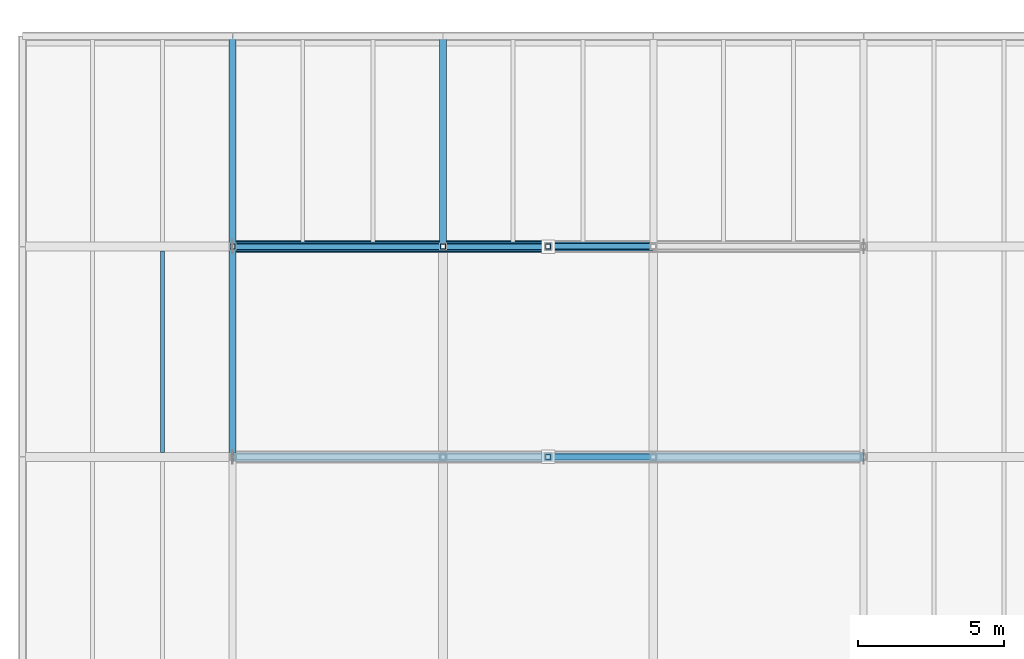
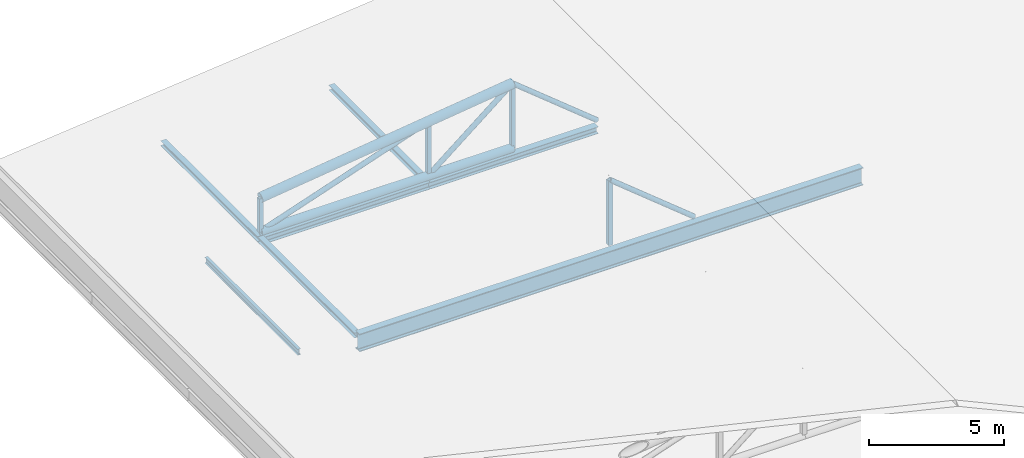
# One storey, part 33 of 91: 10 members, 7 beams.
"""IFC4 building model written with IfcOpenShell, lengths in metres."""

import ifcopenshell
import ifcopenshell.guid

model = None  # the IFC model being written
_history = None  # IfcOwnerHistory: only IFC2X3 demands one
_inside = {}  # id of a spatial element -> (the spatial element, [elements in it])
_under = {}  # id of a project, library or spatial element -> (it, [spatial elements below it])
_declared = {}  # id of a project -> (the project, [libraries it declares])
_typed = {}  # id of a type object -> (the type object, [elements of that type])
_made_of = {}  # id of a material, layer set ... -> (it, [elements and type objects made of it])


def new_model(schema):
    """Start an empty IFC model of exactly this schema.

    Asked for "IFC4X3", IfcOpenShell would pick the latest addendum, in which some entities
    have other attributes; the version numbers below select the first issue.
    IFC2X3 requires an IfcOwnerHistory on every rooted entity: one is made here for all.
    """
    global model, _history
    if schema == "IFC4X3":
        model = ifcopenshell.file(schema_version=(4, 3, 0, 0))
    else:
        model = ifcopenshell.file(schema=schema)
    _inside.clear()
    _under.clear()
    _declared.clear()
    _typed.clear()
    _made_of.clear()
    _history = None
    if model.schema == "IFC2X3":
        org = make("IfcOrganization", Name="unknown")
        user = make(
            "IfcPersonAndOrganization",
            ThePerson=make("IfcPerson", FamilyName="unknown"),
            TheOrganization=org,
        )
        app = make(
            "IfcApplication",
            ApplicationDeveloper=org,
            Version="unknown",
            ApplicationFullName="unknown",
            ApplicationIdentifier="unknown",
        )
        _history = make(
            "IfcOwnerHistory",
            OwningUser=user,
            OwningApplication=app,
            ChangeAction="ADDED",
            CreationDate=0,
        )
    return model


def make(cls, **values):
    """One entity of the class cls with the attributes given. An attribute that is None is left unset."""
    return model.create_entity(
        cls, **{name: value for name, value in values.items() if value is not None}
    )


def rooted(cls, **values):
    """An entity with a GlobalId (a new one), such as an element, a storey or a relation."""
    return make(cls, GlobalId=ifcopenshell.guid.new(), OwnerHistory=_history, **values)


def si_unit(unit_type, name, prefix=None):
    """IfcSIUnit, for example si_unit("LENGTHUNIT", "METRE", prefix="MILLI")."""
    return make("IfcSIUnit", UnitType=unit_type, Prefix=prefix, Name=name)


def assignment(units):
    """IfcUnitAssignment: the units of a project."""
    return None if units is None else make("IfcUnitAssignment", Units=units)


def point(xyz):
    """IfcCartesianPoint."""
    return None if xyz is None else make("IfcCartesianPoint", Coordinates=xyz)


def direction(xyz):
    """IfcDirection."""
    return None if xyz is None else make("IfcDirection", DirectionRatios=xyz)


def frame(location, z_axis=None, x_axis=None):
    """IfcAxis2Placement3D, a coordinate frame: its origin and axes. An axis left out is left unset."""
    return make(
        "IfcAxis2Placement3D",
        Location=point(location),
        Axis=direction(z_axis),
        RefDirection=direction(x_axis),
    )


def frame_2d(location, x_axis=None):
    """IfcAxis2Placement2D, a coordinate frame in the plane: its origin and x axis."""
    return make(
        "IfcAxis2Placement2D", Location=point(location), RefDirection=direction(x_axis)
    )


def origin():
    """The frame at (0, 0, 0) with its axes left unset."""
    return frame((0.0, 0.0, 0.0))


def origin_2d():
    """The frame at (0, 0) in the plane with its x axis left unset."""
    return frame_2d((0.0, 0.0))


def place(relative_to, where):
    """IfcLocalPlacement: puts the frame where relative to a parent placement (None: the world)."""
    return make(
        "IfcLocalPlacement", PlacementRelTo=relative_to, RelativePlacement=where
    )


def context(
    kind, dimensions, precision=None, world=None, true_north=None, identifier=None
):
    """IfcGeometricRepresentationContext, for example the 3D "Model" context."""
    return make(
        "IfcGeometricRepresentationContext",
        ContextIdentifier=identifier,
        ContextType=kind,
        CoordinateSpaceDimension=dimensions,
        Precision=precision,
        WorldCoordinateSystem=world,
        TrueNorth=true_north,
    )


def subcontext(parent, identifier, kind, view, scale=None):
    """IfcGeometricRepresentationSubContext, for example "Body" below "Model"."""
    return make(
        "IfcGeometricRepresentationSubContext",
        ContextIdentifier=identifier,
        ContextType=kind,
        ParentContext=parent,
        TargetScale=scale,
        TargetView=view,
    )


def project(units=None, contexts=None):
    """IfcProject with its units and contexts."""
    return rooted(
        "IfcProject",
        Name="project",
        RepresentationContexts=contexts,
        UnitsInContext=assignment(units),
    )


def spatial(cls, under=None, at=None, **own):
    """A site, building, storey or space (cls), placed at a placement, below another one or the project."""
    s = rooted(cls, ObjectPlacement=at, **own)
    if under is not None:
        _under.setdefault(under.id(), (under, []))[1].append(s)
    return s


def profile(cls, at=None, kind="AREA", **sizes):
    """A parametric profile (cls). Its sizes go by their IFC names, for example OverallWidth=200.0."""
    return make(cls, ProfileType=kind, Position=at, **sizes)


def hollow_rectangle(**sizes):
    """IfcRectangleHollowProfileDef."""
    return profile("IfcRectangleHollowProfileDef", **sizes)


def hollow_circle(**sizes):
    """IfcCircleHollowProfileDef."""
    return profile("IfcCircleHollowProfileDef", **sizes)


def i_section(**sizes):
    """IfcIShapeProfileDef."""
    return profile("IfcIShapeProfileDef", **sizes)


def extrude(swept, where, along, depth):
    """IfcExtrudedAreaSolid: the profile swept, set in the frame where, extruded along a direction by depth."""
    return make(
        "IfcExtrudedAreaSolid",
        SweptArea=swept,
        Position=where,
        ExtrudedDirection=direction(along),
        Depth=depth,
    )


def shape(context_of_items, identifier, shape_type, items):
    """IfcShapeRepresentation: the items that make up one representation, for example the "Body"."""
    return make(
        "IfcShapeRepresentation",
        ContextOfItems=context_of_items,
        RepresentationIdentifier=identifier,
        RepresentationType=shape_type,
        Items=items,
    )


def material(Name=None, Category=None):
    """IfcMaterial."""
    return make("IfcMaterial", Name=Name, Category=Category)


def material_profile(
    of_material, cross_section, Name=None, Category=None, Priority=None
):
    """IfcMaterialProfile: a cross section and its material."""
    return make(
        "IfcMaterialProfile",
        Name=Name,
        Material=of_material,
        Profile=cross_section,
        Priority=Priority,
        Category=Category,
    )


def profile_set(profiles, Name=None, composite=None):
    """IfcMaterialProfileSet."""
    return make(
        "IfcMaterialProfileSet",
        Name=Name,
        MaterialProfiles=profiles,
        CompositeProfile=composite,
    )


def made_of(thing, what):
    """Note that an element or type object is made of a material, layer set ...; save() writes the relation."""
    if what is not None:
        _made_of.setdefault(what.id(), (what, []))[1].append(thing)
    return thing


def type_object(cls, material=None, **own):
    """A type object (cls), such as IfcWallType, which elements share."""
    return made_of(rooted(cls, **own), material)


def element(
    cls,
    number,
    at=None,
    inside=None,
    cuts=None,
    type_object=None,
    material=None,
    context=None,
    identifier="Body",
    shape_type=None,
    held_by="IfcProductDefinitionShape",
    body=None,
    shapes=None,
    **own,
):
    """One element of the class cls, such as IfcWall. Its Tag is "e" and its number.

    at: its placement. inside: the storey or other place that contains it. cuts: it is an
    opening in that element (IfcRelVoidsElement). A single representation is given by context,
    identifier, shape_type and body (its items); several are given by shapes. held_by: the class
    of the entity that holds the representations. save() writes the other relations.
    """
    e = rooted(cls, Tag="e%d" % number, ObjectPlacement=at, **own)
    if body is not None:
        shapes = [shape(context, identifier, shape_type, body)]
    if shapes is not None:
        e.Representation = make(held_by, Representations=shapes)
    if inside is not None:
        _inside.setdefault(inside.id(), (inside, []))[1].append(e)
    if cuts is not None:
        rooted(
            "IfcRelVoidsElement", RelatingBuildingElement=cuts, RelatedOpeningElement=e
        )
    if type_object is not None:
        _typed.setdefault(type_object.id(), (type_object, []))[1].append(e)
    return made_of(e, material)


def aggregate(whole, parts):
    """IfcRelAggregates: a whole, such as a stair, and the parts it consists of."""
    return rooted("IfcRelAggregates", RelatingObject=whole, RelatedObjects=parts)


def save(model, path):
    """Write the relations noted so far, then the file.

    IfcRelAggregates (storeys below a building ...), IfcRelContainedInSpatialStructure (elements
    in a storey), IfcRelDefinesByType, IfcRelAssociatesMaterial and IfcRelDeclares: one each for
    every whole, place, type object, material and project.
    """
    for whole, parts in _under.values():
        aggregate(whole, parts)
    for where, things in _inside.values():
        rooted(
            "IfcRelContainedInSpatialStructure",
            RelatedElements=things,
            RelatingStructure=where,
        )
    for kind, things in _typed.values():
        rooted("IfcRelDefinesByType", RelatedObjects=things, RelatingType=kind)
    for what, things in _made_of.values():
        rooted("IfcRelAssociatesMaterial", RelatedObjects=things, RelatingMaterial=what)
    for by, libraries in _declared.values():
        rooted("IfcRelDeclares", RelatingContext=by, RelatedDefinitions=libraries)
    model.write(path)


model = new_model("IFC4")

# Units and contexts
model_context = context("Model", 3, precision=1e-05, world=origin(), true_north=direction((0.0, 1.0)))
body_context = subcontext(model_context, "Body", "Model", "MODEL_VIEW")
ifc_project = project(units=[si_unit("LENGTHUNIT", "METRE"), si_unit("AREAUNIT", "SQUARE_METRE"), si_unit("VOLUMEUNIT", "CUBIC_METRE"), si_unit("PLANEANGLEUNIT", "RADIAN"), si_unit("MASSUNIT", "GRAM", prefix="KILO")], contexts=[model_context])

# Site, building, storey
site_placement = place(None, origin())
site = spatial("IfcSite", under=ifc_project, at=site_placement, CompositionType="ELEMENT")
building_placement = place(site_placement, origin())
building = spatial("IfcBuilding", under=site, at=building_placement, Name="Narikvali Park Central Library", CompositionType="ELEMENT")
storey_placement = place(building_placement, frame((0.0, 0.0, 14.39990234375)))
storey = spatial("IfcBuildingStorey", under=building, at=storey_placement, Name="L03", CompositionType="ELEMENT", Elevation=14.39990234375)

# Member
ifc_material = material(Name="Steel S355", Category="steel")
ifc_material_profile_1 = material_profile(ifc_material, hollow_circle(Radius=0.109619140625, WallThickness=0.012451171875, at=origin_2d()), Name="CHS 219.1x12.5")
ifc_profile_set_1 = profile_set([ifc_material_profile_1], Name="Steel S355")
member_type_1 = type_object("IfcMemberType", Name="Auditorium End Truss Web CHS219x12", PredefinedType="BRACE", material=ifc_profile_set_1)
member_1_placement = place(storey_placement, frame((129.60009765625, 108.0, -0.02001953125), z_axis=(0.946684072105, 0.0, 0.322163417573), x_axis=(0.0, 1.0, 0.0)))
element("IfcMember", 1, at=member_1_placement, inside=storey, type_object=member_type_1, Name="Auditorium Truss 4 Web Diagonal 1", PredefinedType="BRACE", context=body_context, shape_type="SweptSolid", body=[
    extrude(hollow_circle(Radius=0.109619140625, WallThickness=0.012451171875, at=origin_2d()), origin(), (0.0, 0.0, 1.0), 7.60546875),
])

# Beam
ifc_material_profile_2 = material_profile(ifc_material, i_section(OverallWidth=0.300048828125, OverallDepth=0.800048828125, WebThickness=0.017578125, FlangeThickness=0.032958984375, FilletRadius=0.030029296875, at=origin_2d()), Name="HEB 800")
ifc_profile_set_2 = profile_set([ifc_material_profile_2], Name="Steel S355")
beam_type_1 = type_object("IfcBeamType", Name="Auditorium Long-Span Girder HEB800", PredefinedType="BEAM", material=ifc_profile_set_2)
beam_1_placement = place(storey_placement, frame((129.60791015625, 100.800048828125, -0.639892578125), z_axis=(1.0, 0.0, 0.0), x_axis=(0.0, 1.0, 0.0)))
element("IfcBeam", 2, at=beam_1_placement, inside=storey, type_object=beam_type_1, Name="V3 L03 Girder X", PredefinedType="BEAM", context=body_context, shape_type="SweptSolid", body=[
    extrude(i_section(OverallWidth=0.300048828125, OverallDepth=0.800048828125, WebThickness=0.017578125, FlangeThickness=0.032958984375, FilletRadius=0.030029296875, at=origin_2d()), origin(), (0.0, 0.0, 1.0), 21.583984375),
])

# Members
ifc_material_profile_3 = material_profile(ifc_material, hollow_circle(Radius=0.203125, WallThickness=0.01611328125, at=origin_2d()), Name="CHS 406.4x16")
ifc_profile_set_3 = profile_set([ifc_material_profile_3], Name="Steel S355")
member_type_2 = type_object("IfcMemberType", Name="Auditorium Top Truss Chord CHS406", PredefinedType="CHORD", material=ifc_profile_set_3)
member_2_placement = place(storey_placement, frame((129.60009765625, 108.0, 1.5), z_axis=(0.991700495311, 0.0, 0.128569543824), x_axis=(0.0, 1.0, 0.0)))
element("IfcMember", 3, at=member_2_placement, inside=storey, type_object=member_type_2, Name="Auditorium Truss 4 Top Chord W", PredefinedType="CHORD", context=body_context, shape_type="SweptSolid", body=[
    extrude(hollow_circle(Radius=0.203125, WallThickness=0.01611328125, at=origin_2d()), origin(), (0.0, 0.0, 1.0), 10.89013671875),
])
ifc_material_profile_4 = material_profile(ifc_material, hollow_circle(Radius=0.177734375, WallThickness=0.01611328125, at=origin_2d()), Name="CHS 355.6x16")
ifc_profile_set_4 = profile_set([ifc_material_profile_4], Name="Steel S355")
member_type_3 = type_object("IfcMemberType", Name="Auditorium Truss Chord CHS355", PredefinedType="CHORD", material=ifc_profile_set_4)
member_3_placement = place(storey_placement, frame((129.60009765625, 108.0, -0.02001953125), z_axis=(1.0, 0.0, 0.0), x_axis=(0.0, 1.0, 0.0)))
element("IfcMember", 4, at=member_3_placement, inside=storey, type_object=member_type_3, Name="Auditorium Truss 4 Bottom Chord W", PredefinedType="CHORD", context=body_context, shape_type="SweptSolid", body=[
    extrude(hollow_circle(Radius=0.177734375, WallThickness=0.01611328125, at=origin_2d()), origin(), (0.0, 0.0, 1.0), 10.7998046875),
])
ifc_material_profile_5 = material_profile(ifc_material, hollow_rectangle(XDim=0.179931640625, YDim=0.179931640625, WallThickness=0.010009765625, at=origin_2d()), Name="SHS 180x180x10")
ifc_profile_set_5 = profile_set([ifc_material_profile_5], Name="Steel S355")
member_type_4 = type_object("IfcMemberType", Name="Auditorium Truss Vertical SHS180", PredefinedType="COLLAR", material=ifc_profile_set_5)
member_4_placement = place(storey_placement, frame((140.39990234375, 100.800048828125, -0.02001953125), z_axis=(0.0, 0.0, 1.0), x_axis=(1.0, 0.0, 0.0)))
element("IfcMember", 5, at=member_4_placement, inside=storey, type_object=member_type_4, Name="Auditorium Truss 3 Vertical 3", PredefinedType="COLLAR", context=body_context, shape_type="SweptSolid", body=[
    extrude(hollow_rectangle(XDim=0.179931640625, YDim=0.179931640625, WallThickness=0.010009765625, at=origin_2d()), origin(), (0.0, 0.0, 1.0), 2.920166015625),
])
member_5_placement = place(storey_placement, frame((129.60009765625, 108.0, -0.02001953125), z_axis=(0.0, 0.0, 1.0), x_axis=(1.0, 0.0, 0.0)))
element("IfcMember", 6, at=member_5_placement, inside=storey, type_object=member_type_4, Name="Auditorium Truss 4 Vertical 1", PredefinedType="COLLAR", context=body_context, shape_type="SweptSolid", body=[
    extrude(hollow_rectangle(XDim=0.179931640625, YDim=0.179931640625, WallThickness=0.010009765625, at=origin_2d()), origin(), (0.0, 0.0, 1.0), 1.52001953125),
])
member_6_placement = place(storey_placement, frame((136.800048828125, 108.0, -0.02001953125), z_axis=(0.0, 0.0, 1.0), x_axis=(1.0, 0.0, 0.0)))
element("IfcMember", 7, at=member_6_placement, inside=storey, type_object=member_type_4, Name="Auditorium Truss 4 Vertical 2", PredefinedType="COLLAR", context=body_context, shape_type="SweptSolid", body=[
    extrude(hollow_rectangle(XDim=0.179931640625, YDim=0.179931640625, WallThickness=0.010009765625, at=origin_2d()), origin(), (0.0, 0.0, 1.0), 2.4501953125),
])
member_7_placement = place(storey_placement, frame((140.39990234375, 108.0, -0.02001953125), z_axis=(0.0, 0.0, 1.0), x_axis=(1.0, 0.0, 0.0)))
element("IfcMember", 8, at=member_7_placement, inside=storey, type_object=member_type_4, Name="Auditorium Truss 4 Vertical 3", PredefinedType="COLLAR", context=body_context, shape_type="SweptSolid", body=[
    extrude(hollow_rectangle(XDim=0.179931640625, YDim=0.179931640625, WallThickness=0.010009765625, at=origin_2d()), origin(), (0.0, 0.0, 1.0), 2.920166015625),
])
ifc_material_profile_6 = material_profile(ifc_material, hollow_circle(Radius=0.109619140625, WallThickness=0.010009765625, at=origin_2d()), Name="CHS 219.1x10")
ifc_profile_set_6 = profile_set([ifc_material_profile_6], Name="Steel S355")
member_type_5 = type_object("IfcMemberType", Name="Auditorium Truss Web CHS219", PredefinedType="BRACE", material=ifc_profile_set_6)
member_8_placement = place(storey_placement, frame((144.0, 100.800048828125, -0.02001953125), z_axis=(-0.776632479753, 0.0, 0.62995395974), x_axis=(0.0, -1.0, 0.0)))
element("IfcMember", 9, at=member_8_placement, inside=storey, type_object=member_type_5, Name="Auditorium Truss 3 Web Diagonal 4", PredefinedType="BRACE", context=body_context, shape_type="SweptSolid", body=[
    extrude(hollow_circle(Radius=0.109619140625, WallThickness=0.010009765625, at=origin_2d()), origin(), (0.0, 0.0, 1.0), 4.635498046875),
])
member_9_placement = place(storey_placement, frame((136.800048828125, 108.0, -0.02001953125), z_axis=(0.776611577862, 0.0, 0.629979727555), x_axis=(0.0, 1.0, 0.0)))
element("IfcMember", 10, at=member_9_placement, inside=storey, type_object=member_type_5, Name="Auditorium Truss 4 Web Diagonal 2", PredefinedType="BRACE", context=body_context, shape_type="SweptSolid", body=[
    extrude(hollow_circle(Radius=0.109619140625, WallThickness=0.010009765625, at=origin_2d()), origin(), (0.0, 0.0, 1.0), 4.63525390625),
])
member_10_placement = place(storey_placement, frame((144.0, 108.0, -0.02001953125), z_axis=(-0.776632479753, 0.0, 0.62995395974), x_axis=(0.0, -1.0, 0.0)))
element("IfcMember", 11, at=member_10_placement, inside=storey, type_object=member_type_5, Name="Auditorium Truss 4 Web Diagonal 4", PredefinedType="BRACE", context=body_context, shape_type="SweptSolid", body=[
    extrude(hollow_circle(Radius=0.109619140625, WallThickness=0.010009765625, at=origin_2d()), origin(), (0.0, 0.0, 1.0), 4.635498046875),
])

# Beams
ifc_material_profile_7 = material_profile(ifc_material, i_section(OverallWidth=0.135009765625, OverallDepth=0.27001953125, WebThickness=0.006591796875, FlangeThickness=0.01025390625, FilletRadius=0.014892578125, at=origin_2d()), Name="IPE 270")
ifc_profile_set_7 = profile_set([ifc_material_profile_7], Name="Steel S355")
beam_type_2 = type_object("IfcBeamType", Name="Composite Floor Joist IPE270", PredefinedType="JOIST", material=ifc_profile_set_7)
beam_2_placement = place(storey_placement, frame((127.199951171875, 100.949951171875, -0.375), z_axis=(0.0, 1.0, 0.0), x_axis=(-1.0, 0.0, 0.0)))
element("IfcBeam", 12, at=beam_2_placement, inside=storey, type_object=beam_type_2, Name="V3 L03 Composite Joist 2", PredefinedType="JOIST", context=body_context, shape_type="SweptSolid", body=[
    extrude(i_section(OverallWidth=0.135009765625, OverallDepth=0.27001953125, WebThickness=0.006591796875, FlangeThickness=0.01025390625, FilletRadius=0.014892578125, at=origin_2d()), origin(), (0.0, 0.0, 1.0), 6.900146484375),
])
ifc_material_profile_8 = material_profile(ifc_material, i_section(OverallWidth=0.239990234375, OverallDepth=0.22998046875, WebThickness=0.007568359375, FlangeThickness=0.011962890625, FilletRadius=0.02099609375, at=origin_2d()), Name="HEA 240")
ifc_profile_set_8 = profile_set([ifc_material_profile_8], Name="Steel S355")
beam_type_3 = type_object("IfcBeamType", Name="Primary Girder HEA240", PredefinedType="BEAM", material=ifc_profile_set_8)
for number, where, z_axis, x_axis, name in (
    (13, (129.60009765625, 100.80810546875, -0.35498046875), (0.0, 1.0, 0.0), (-1.0, 0.0, 0.0), "V3 L03 Girder Y"),
    (14, (129.60009765625, 108.008056640625, -0.35498046875), (0.0, 1.0, 0.0), (-1.0, 0.0, 0.0), "V3 L03 Girder Y"),
    (15, (136.800048828125, 108.008056640625, -0.35498046875), (0.0, 1.0, 0.0), (-1.0, 0.0, 0.0), "V3 L03 Girder Y"),
):
    element("IfcBeam", number, at=place(storey_placement, frame(where, z_axis=z_axis, x_axis=x_axis)), inside=storey, type_object=beam_type_3, Name=name, PredefinedType="BEAM", context=body_context, shape_type="SweptSolid", body=[
        extrude(i_section(OverallWidth=0.239990234375, OverallDepth=0.22998046875, WebThickness=0.007568359375, FlangeThickness=0.011962890625, FilletRadius=0.02099609375, at=origin_2d()), origin(), (0.0, 0.0, 1.0), 7.183837890625),
    ])
ifc_material_profile_9 = material_profile(ifc_material, i_section(OverallWidth=0.300048828125, OverallDepth=0.31005859375, WebThickness=0.009033203125, FlangeThickness=0.015380859375, FilletRadius=0.027099609375, at=origin_2d()), Name="HEA 320")
ifc_profile_set_9 = profile_set([ifc_material_profile_9], Name="Steel S355")
beam_type_4 = type_object("IfcBeamType", Name="Primary Girder HEA320", PredefinedType="BEAM", material=ifc_profile_set_9)
beam_3_placement = place(storey_placement, frame((129.60791015625, 108.0, -0.39501953125), z_axis=(1.0, 0.0, 0.0), x_axis=(0.0, 1.0, 0.0)))
element("IfcBeam", 16, at=beam_3_placement, inside=storey, type_object=beam_type_4, Name="V3 L03 Girder X", PredefinedType="BEAM", context=body_context, shape_type="SweptSolid", body=[
    extrude(i_section(OverallWidth=0.300048828125, OverallDepth=0.31005859375, WebThickness=0.009033203125, FlangeThickness=0.015380859375, FilletRadius=0.027099609375, at=origin_2d()), origin(), (0.0, 0.0, 1.0), 7.18408203125),
])
beam_4_placement = place(storey_placement, frame((136.80810546875, 108.0, -0.39501953125), z_axis=(1.0, 0.0, 0.0), x_axis=(0.0, 1.0, 0.0)))
element("IfcBeam", 17, at=beam_4_placement, inside=storey, type_object=beam_type_4, Name="V3 L03 Girder X", PredefinedType="BEAM", context=body_context, shape_type="SweptSolid", body=[
    extrude(i_section(OverallWidth=0.300048828125, OverallDepth=0.31005859375, WebThickness=0.009033203125, FlangeThickness=0.015380859375, FilletRadius=0.027099609375, at=origin_2d()), origin(), (0.0, 0.0, 1.0), 7.183837890625),
])

save(model, "model.ifc")
